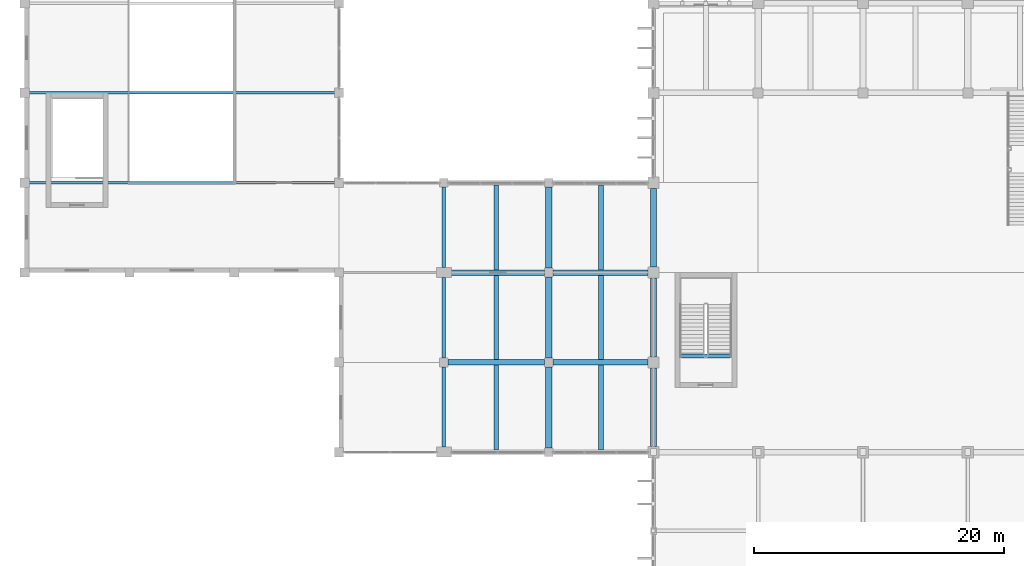
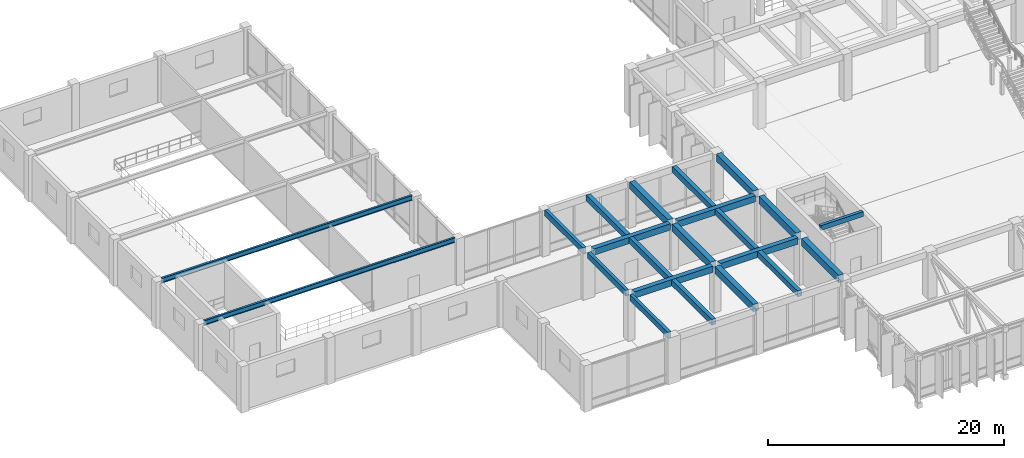
# One storey, part 6 of 51: 22 beams.
"""IFC4 building model written with IfcOpenShell, lengths in metres."""

from ifc_helpers import new_model, si_unit, direction, frame, origin, origin_2d, place, context, subcontext, project, spatial, rectangle, i_section, extrude, material, material_profile, profile_set, type_object, element, save


model = new_model("IFC4")

# Units and contexts
model_context = context("Model", 3, precision=1e-05, world=origin(), true_north=direction((0.0, 1.0)))
body_context = subcontext(model_context, "Body", "Model", "MODEL_VIEW")
ifc_project = project(units=[si_unit("LENGTHUNIT", "METRE"), si_unit("AREAUNIT", "SQUARE_METRE"), si_unit("VOLUMEUNIT", "CUBIC_METRE"), si_unit("PLANEANGLEUNIT", "RADIAN"), si_unit("MASSUNIT", "GRAM", prefix="KILO")], contexts=[model_context])

# Site, building, storey
site_placement = place(None, origin())
site = spatial("IfcSite", under=ifc_project, at=site_placement, CompositionType="ELEMENT")
building_placement = place(site_placement, origin())
building = spatial("IfcBuilding", under=site, at=building_placement, Name="Kenerak Square Central Library", CompositionType="ELEMENT")
storey_placement = place(building_placement, frame((0.0, 0.0, 9.60009765625)))
storey = spatial("IfcBuildingStorey", under=building, at=storey_placement, Name="L02", CompositionType="ELEMENT", Elevation=9.60009765625)

# Beams
ifc_material_1 = material(Name="Steel S355", Category="steel")
ifc_material_profile_1 = material_profile(ifc_material_1, i_section(OverallWidth=0.199951171875, OverallDepth=0.5, WebThickness=0.01025390625, FlangeThickness=0.01611328125, FilletRadius=0.02099609375, at=origin_2d()), Name="IPE 500")
ifc_profile_set_1 = profile_set([ifc_material_profile_1], Name="Steel S355")
beam_type_1 = type_object("IfcBeamType", Name="Auditorium Fold Beam SB-07 IPE 500 S355", PredefinedType="BEAM", material=ifc_profile_set_1)
for number, where, z_axis, x_axis, name in (
    (1, (8.340087890625, 38.39990234375, 4.5498046875), (1.0, 0.0, 0.0), (0.0, 1.0, 0.0), "Auditorium Valley Fold Beam SB-07 01"),
    (2, (8.340087890625, 45.60009765625, 4.5498046875), (1.0, 0.0, 0.0), (0.0, 1.0, 0.0), "Auditorium Valley Fold Beam SB-07 02"),
):
    element("IfcBeam", number, at=place(storey_placement, frame(where, z_axis=z_axis, x_axis=x_axis)), inside=storey, type_object=beam_type_1, Name=name, PredefinedType="BEAM", context=body_context, shape_type="SweptSolid", body=[
        extrude(i_section(OverallWidth=0.199951171875, OverallDepth=0.5, WebThickness=0.01025390625, FlangeThickness=0.01611328125, FilletRadius=0.02099609375, at=origin_2d()), origin(), (0.0, 0.0, 1.0), 24.52001953125),
    ])
ifc_material_2 = material(Name="Concrete C40/50", Category="concrete")
ifc_material_profile_2 = material_profile(ifc_material_2, rectangle(XDim=0.300048828125, YDim=0.60009765625, at=origin_2d()), Name="RC 300x600")
ifc_profile_set_2 = profile_set([ifc_material_profile_2], Name="Concrete C40/50")
beam_type_2 = type_object("IfcBeamType", Name="Courtyard Spandrel Beam SP-02 RC 300x600 C40/50", PredefinedType="SPANDREL", material=ifc_profile_set_2)
for number, where, z_axis, x_axis, name in (
    (3, (41.60009765625, 17.199951171875, 4.5), (0.0, 1.0, 0.0), (-1.0, 0.0, 0.0), "Beam SP-02 L02 1273"),
    (4, (41.60009765625, 24.35009765625, 4.5), (0.0, 1.0, 0.0), (-1.0, 0.0, 0.0), "Beam SP-02 L02 1274"),
    (5, (41.60009765625, 31.60009765625, 4.5), (0.0, 1.0, 0.0), (-1.0, 0.0, 0.0), "Beam SP-02 L02 1275"),
):
    element("IfcBeam", number, at=place(storey_placement, frame(where, z_axis=z_axis, x_axis=x_axis)), inside=storey, type_object=beam_type_2, Name=name, PredefinedType="SPANDREL", context=body_context, shape_type="SweptSolid", body=[
        extrude(rectangle(XDim=0.300048828125, YDim=0.60009765625, at=origin_2d()), origin(), (0.0, 0.0, 1.0), 6.449951171875),
    ])
ifc_material_profile_3 = material_profile(ifc_material_2, rectangle(XDim=0.300048828125, YDim=0.5, at=origin_2d()), Name="RC 300x500")
ifc_profile_set_3 = profile_set([ifc_material_profile_3], Name="Concrete C40/50")
beam_type_3 = type_object("IfcBeamType", Name="Landing Support Beam B-08 RC 300x500 C40/50", PredefinedType="BEAM", material=ifc_profile_set_3)
beam_1_placement = place(storey_placement, frame((60.52001953125, 24.510009765625, 4.5498046875), z_axis=(1.0, 0.0, 0.0), x_axis=(0.0, 1.0, 0.0)))
element("IfcBeam", 6, at=beam_1_placement, inside=storey, type_object=beam_type_3, Name="Stair Threshold Beam B-08 ST-04 L03", PredefinedType="BEAM", context=body_context, shape_type="SweptSolid", body=[
    extrude(rectangle(XDim=0.300048828125, YDim=0.5, at=origin_2d()), origin(), (0.0, 0.0, 1.0), 4.159912109375),
])
ifc_material_profile_4 = material_profile(ifc_material_2, rectangle(XDim=0.449951171875, YDim=0.64990234375, at=origin_2d()), Name="RC 450x650")
ifc_profile_set_4 = profile_set([ifc_material_profile_4], Name="Concrete C40/50")
beam_type_4 = type_object("IfcBeamType", Name="Mezzanine Frame Beam B-06 RC 450x650 C40/50", PredefinedType="BEAM", material=ifc_profile_set_4)
beam_2_placement = place(storey_placement, frame((41.949951171875, 24.0, 4.474853515625), z_axis=(1.0, 0.0, 0.0), x_axis=(0.0, 1.0, 0.0)))
element("IfcBeam", 7, at=beam_2_placement, inside=storey, type_object=beam_type_4, Name="Beam B-06 L02 1199", PredefinedType="BEAM", context=body_context, shape_type="SweptSolid", body=[
    extrude(rectangle(XDim=0.449951171875, YDim=0.64990234375, at=origin_2d()), origin(), (0.0, 0.0, 1.0), 7.699951171875),
])
beam_3_placement = place(storey_placement, frame((50.35009765625, 24.0, 4.474853515625), z_axis=(1.0, 0.0, 0.0), x_axis=(0.0, 1.0, 0.0)))
element("IfcBeam", 8, at=beam_3_placement, inside=storey, type_object=beam_type_4, Name="Beam B-06 L02 1200", PredefinedType="BEAM", context=body_context, shape_type="SweptSolid", body=[
    extrude(rectangle(XDim=0.449951171875, YDim=0.64990234375, at=origin_2d()), origin(), (0.0, 0.0, 1.0), 7.599853515625),
])
beam_4_placement = place(storey_placement, frame((42.14990234375, 31.199951171875, 4.474853515625), z_axis=(1.0, 0.0, 0.0), x_axis=(0.0, 1.0, 0.0)))
element("IfcBeam", 9, at=beam_4_placement, inside=storey, type_object=beam_type_4, Name="Beam B-06 L02 1203", PredefinedType="BEAM", context=body_context, shape_type="SweptSolid", body=[
    extrude(rectangle(XDim=0.449951171875, YDim=0.64990234375, at=origin_2d()), origin(), (0.0, 0.0, 1.0), 7.5),
])
beam_5_placement = place(storey_placement, frame((50.35009765625, 31.199951171875, 4.474853515625), z_axis=(1.0, 0.0, 0.0), x_axis=(0.0, 1.0, 0.0)))
element("IfcBeam", 10, at=beam_5_placement, inside=storey, type_object=beam_type_4, Name="Beam B-06 L02 1204", PredefinedType="BEAM", context=body_context, shape_type="SweptSolid", body=[
    extrude(rectangle(XDim=0.449951171875, YDim=0.64990234375, at=origin_2d()), origin(), (0.0, 0.0, 1.0), 7.599853515625),
])
ifc_material_profile_5 = material_profile(ifc_material_2, rectangle(XDim=0.39990234375, YDim=0.60009765625, at=origin_2d()), Name="RC 400x600")
ifc_profile_set_5 = profile_set([ifc_material_profile_5], Name="Concrete C40/50")
beam_type_5 = type_object("IfcBeamType", Name="Secondary Floor Joist J-01 RC 400x600 C40/50", PredefinedType="JOIST", material=ifc_profile_set_5)
beam_6_placement = place(storey_placement, frame((45.800048828125, 16.97509765625, 4.5), z_axis=(0.0, 1.0, 0.0), x_axis=(-1.0, 0.0, 0.0)))
element("IfcBeam", 11, at=beam_6_placement, inside=storey, type_object=beam_type_5, Name="Joist J-01 L02 1365", PredefinedType="JOIST", context=body_context, shape_type="SweptSolid", body=[
    extrude(rectangle(XDim=0.39990234375, YDim=0.60009765625, at=origin_2d()), origin(), (0.0, 0.0, 1.0), 6.7998046875),
])
beam_7_placement = place(storey_placement, frame((45.800048828125, 24.22509765625, 4.5), z_axis=(0.0, 1.0, 0.0), x_axis=(-1.0, 0.0, 0.0)))
element("IfcBeam", 12, at=beam_7_placement, inside=storey, type_object=beam_type_5, Name="Joist J-01 L02 1366", PredefinedType="JOIST", context=body_context, shape_type="SweptSolid", body=[
    extrude(rectangle(XDim=0.39990234375, YDim=0.60009765625, at=origin_2d()), origin(), (0.0, 0.0, 1.0), 6.75),
])
beam_8_placement = place(storey_placement, frame((45.800048828125, 31.425048828125, 4.5), z_axis=(0.0, 1.0, 0.0), x_axis=(-1.0, 0.0, 0.0)))
element("IfcBeam", 13, at=beam_8_placement, inside=storey, type_object=beam_type_5, Name="Joist J-01 L02 1367", PredefinedType="JOIST", context=body_context, shape_type="SweptSolid", body=[
    extrude(rectangle(XDim=0.39990234375, YDim=0.60009765625, at=origin_2d()), origin(), (0.0, 0.0, 1.0), 6.800048828125),
])
beam_9_placement = place(storey_placement, frame((54.199951171875, 16.97509765625, 4.5), z_axis=(0.0, 1.0, 0.0), x_axis=(-1.0, 0.0, 0.0)))
element("IfcBeam", 14, at=beam_9_placement, inside=storey, type_object=beam_type_5, Name="Joist J-01 L02 1368", PredefinedType="JOIST", context=body_context, shape_type="SweptSolid", body=[
    extrude(rectangle(XDim=0.39990234375, YDim=0.60009765625, at=origin_2d()), origin(), (0.0, 0.0, 1.0), 6.7998046875),
])
beam_10_placement = place(storey_placement, frame((54.199951171875, 24.22509765625, 4.5), z_axis=(0.0, 1.0, 0.0), x_axis=(-1.0, 0.0, 0.0)))
element("IfcBeam", 15, at=beam_10_placement, inside=storey, type_object=beam_type_5, Name="Joist J-01 L02 1369", PredefinedType="JOIST", context=body_context, shape_type="SweptSolid", body=[
    extrude(rectangle(XDim=0.39990234375, YDim=0.60009765625, at=origin_2d()), origin(), (0.0, 0.0, 1.0), 6.75),
])
beam_11_placement = place(storey_placement, frame((54.199951171875, 31.425048828125, 4.5), z_axis=(0.0, 1.0, 0.0), x_axis=(-1.0, 0.0, 0.0)))
element("IfcBeam", 16, at=beam_11_placement, inside=storey, type_object=beam_type_5, Name="Joist J-01 L02 1370", PredefinedType="JOIST", context=body_context, shape_type="SweptSolid", body=[
    extrude(rectangle(XDim=0.39990234375, YDim=0.60009765625, at=origin_2d()), origin(), (0.0, 0.0, 1.0), 6.800048828125),
])
ifc_material_profile_6 = material_profile(ifc_material_2, rectangle(XDim=0.5, YDim=0.75, at=origin_2d()), Name="RC 500x750")
ifc_profile_set_6 = profile_set([ifc_material_profile_6], Name="Concrete C40/50")
beam_type_6 = type_object("IfcBeamType", Name="Transverse Frame Beam B-05 RC 500x750 C40/50", PredefinedType="BEAM", material=ifc_profile_set_6)
for number, where, z_axis, x_axis, name in (
    (17, (50.0, 17.14990234375, 4.4248046875), (0.0, 1.0, 0.0), (-1.0, 0.0, 0.0), "Beam B-05 L02 1276"),
    (18, (50.0, 24.35009765625, 4.4248046875), (0.0, 1.0, 0.0), (-1.0, 0.0, 0.0), "Beam B-05 L02 1277"),
    (19, (50.0, 31.550048828125, 4.4248046875), (0.0, 1.0, 0.0), (-1.0, 0.0, 0.0), "Beam B-05 L02 1278"),
):
    element("IfcBeam", number, at=place(storey_placement, frame(where, z_axis=z_axis, x_axis=x_axis)), inside=storey, type_object=beam_type_6, Name=name, PredefinedType="BEAM", context=body_context, shape_type="SweptSolid", body=[
        extrude(rectangle(XDim=0.5, YDim=0.75, at=origin_2d()), origin(), (0.0, 0.0, 1.0), 6.5),
    ])
for number, where, z_axis, x_axis, name in (
    (20, (58.39990234375, 17.25, 4.4248046875), (0.0, 1.0, 0.0), (-1.0, 0.0, 0.0), "Beam B-05 L02 1279"),
    (21, (58.39990234375, 24.449951171875, 4.4248046875), (0.0, 1.0, 0.0), (-1.0, 0.0, 0.0), "Beam B-05 L02 1280"),
    (22, (58.39990234375, 31.64990234375, 4.4248046875), (0.0, 1.0, 0.0), (-1.0, 0.0, 0.0), "Beam B-05 L02 1281"),
):
    element("IfcBeam", number, at=place(storey_placement, frame(where, z_axis=z_axis, x_axis=x_axis)), inside=storey, type_object=beam_type_6, Name=name, PredefinedType="BEAM", context=body_context, shape_type="SweptSolid", body=[
        extrude(rectangle(XDim=0.5, YDim=0.75, at=origin_2d()), origin(), (0.0, 0.0, 1.0), 6.300048828125),
    ])

save(model, "model.ifc")
